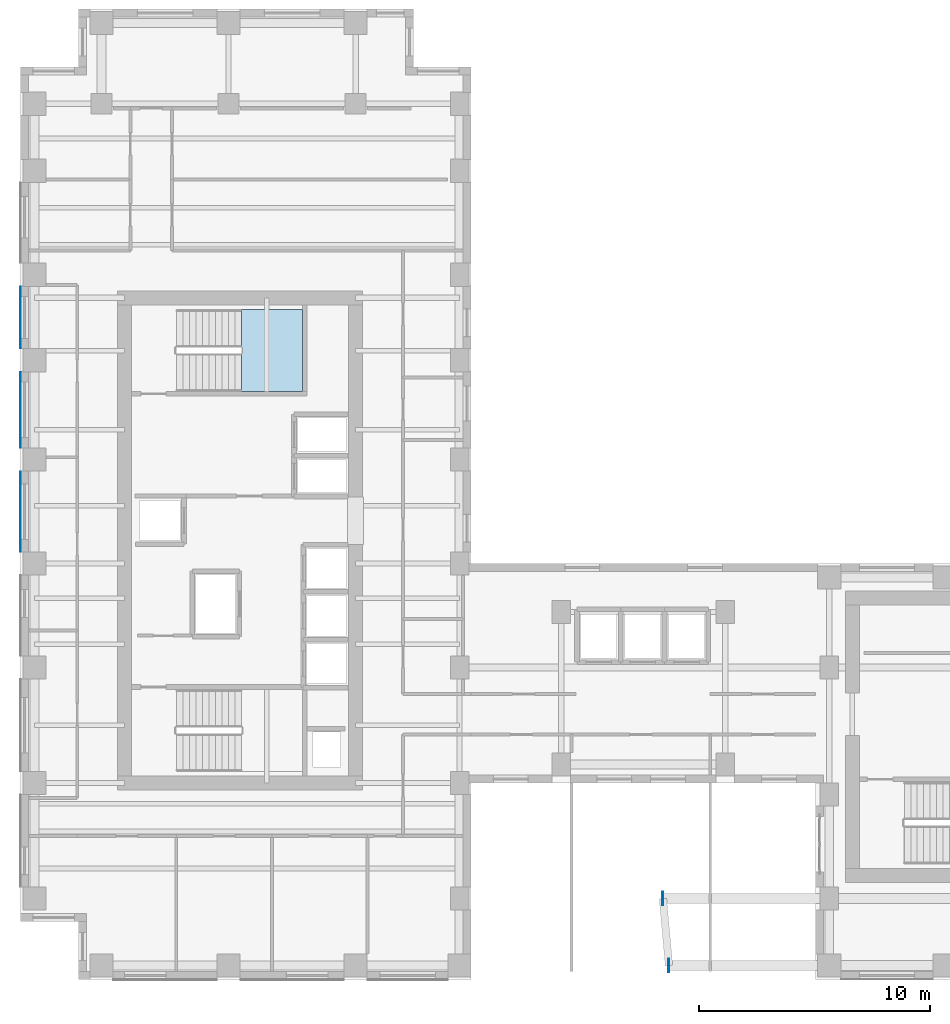
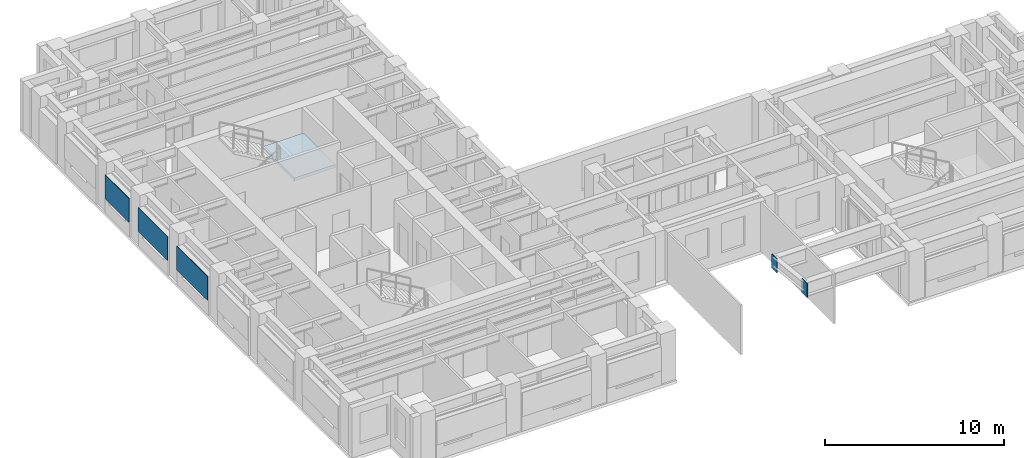
# One storey, part 4 of 13: 5 plates, 1 slab, 1 element without a shape of its own.
"""IFC4 building model written with IfcOpenShell, lengths in metres."""

from ifc_helpers import new_model, si_unit, direction, frame, origin, origin_2d, place, context, subcontext, project, spatial, polyline, rectangle, outline, extrude, source, transform, mapped, material, layer, layer_set, type_object, element, aggregate, save


model = new_model("IFC4")

# Units and contexts
model_context = context("Model", 3, precision=1e-05, world=origin(), true_north=direction((0.0, 1.0)))
body_context = subcontext(model_context, "Body", "Model", "MODEL_VIEW")
ifc_project = project(units=[si_unit("LENGTHUNIT", "METRE"), si_unit("AREAUNIT", "SQUARE_METRE"), si_unit("VOLUMEUNIT", "CUBIC_METRE"), si_unit("PLANEANGLEUNIT", "RADIAN"), si_unit("MASSUNIT", "GRAM", prefix="KILO")], contexts=[model_context])

# Site, building, storey
site_placement = place(None, origin())
site = spatial("IfcSite", under=ifc_project, at=site_placement, CompositionType="ELEMENT")
building_placement = place(site_placement, origin())
building = spatial("IfcBuilding", under=site, at=building_placement, Name="Kharzan Plaza Tower", CompositionType="ELEMENT")
storey_placement = place(building_placement, frame((0.0, 0.0, 189.89990234375)))
storey = spatial("IfcBuildingStorey", under=building, at=storey_placement, Name="L51", CompositionType="ELEMENT", Elevation=189.89990234375)

# Stair, slab
ifc_material_1 = material(Name="Concrete C40/50", Category="concrete")
stair_type = type_object("IfcStairType", Name="STR-ST-2", PredefinedType="HALF_TURN_STAIR", material=ifc_material_1)
stair_placement = place(storey_placement, origin())
stair = element("IfcStair", 1, at=stair_placement, inside=storey, type_object=stair_type, Name="L51 Protected Exit Stair ST-2", PredefinedType="HALF_TURN_STAIR")
ifc_layer_1 = layer(ifc_material_1, 0.219970703125)
ifc_layer_set_1 = layer_set([ifc_layer_1], Name="Concrete C40/50")
slab_type = type_object("IfcSlabType", Name="SL-LANDING-220", PredefinedType="LANDING", material=ifc_layer_set_1)
slab_placement = place(storey_placement, frame((0.0, 0.0, 1.60009765625)))
slab = element("IfcSlab", 2, at=slab_placement, type_object=slab_type, Name="ST-2 landing 1", PredefinedType="LANDING", context=body_context, shape_type="SweptSolid", body=[
    extrude(outline(polyline([(9.550048828125, 25.449951171875), (12.199951171875, 25.449951171875), (12.199951171875, 29.0), (9.550048828125, 29.0), (9.550048828125, 25.449951171875)])), origin(), (0.0, 0.0, 1.0), 0.199951171875),
])
aggregate(stair, [slab])

# Plates
ifc_material_2 = material(Name="Steel S460", Category="steel")
ifc_layer_2 = layer(ifc_material_2, 0.0419921875)
ifc_layer_set_2 = layer_set([ifc_layer_2], Name="Steel S460")
plate_type_1 = type_object("IfcPlateType", Name="PLT-ZTN1", PredefinedType="USERDEFINED", material=ifc_layer_set_2)
shared_shape_1 = source(origin(), body_context, "Body", "SweptSolid", [
    extrude(rectangle(XDim=0.60009765625, YDim=0.0419921875, at=origin_2d()), origin(), (0.0, 0.0, 1.0), 0.949951171875),
])
for number, where, z_axis, x_axis, name in (
    (3, (28.06396484375, 0.60009765625, 2.44140625), (0.0, 0.0, 1.0), (0.0, 1.0, 0.0), "L51 Sky-Terrace Cantilever Tip Plate ZTN1"),
    (4, (27.800048828125, 3.5, 2.44140625), (0.0, 0.0, 1.0), (0.0, 1.0, 0.0), "L51 Sky-Terrace Cantilever Tip Plate ZTN1"),
):
    element("IfcPlate", number, at=place(storey_placement, frame(where, z_axis=z_axis, x_axis=x_axis)), inside=storey, type_object=plate_type_1, Name=name, ObjectType="FLANGE_PLATE", PredefinedType="USERDEFINED", context=body_context, shape_type="MappedRepresentation", body=[
        mapped(shared_shape_1, transform((0.0, 0.0, 0.0), x_axis=(1.0, 0.0, 0.0), y_axis=(0.0, 1.0, 0.0), z_axis=(0.0, 0.0, 1.0))),
    ])
ifc_material_3 = material(Name="Perforated Bronze-Anodized Aluminium", Category="aluminium")
ifc_layer_3 = layer(ifc_material_3, 0.030029296875)
ifc_layer_set_3 = layer_set([ifc_layer_3], Name="Perforated Bronze-Anodized Aluminium")
plate_type_2 = type_object("IfcPlateType", Name="PLT-MASH-SCREEN", PredefinedType="SHEET", material=ifc_layer_set_3)
shared_shape_2 = source(origin(), body_context, "Body", "SweptSolid", [
    extrude(rectangle(XDim=3.464111328125, YDim=0.030029296875, at=origin_2d()), origin(), (0.0, 0.0, 1.0), 1.632080078125),
])
plate_1_placement = place(storey_placement, frame((-0.012939453125, 20.25, 1.01416015625), z_axis=(0.0, 0.0, 1.0), x_axis=(0.0, -1.0, 0.0)))
element("IfcPlate", 5, at=plate_1_placement, inside=storey, type_object=plate_type_2, Name="L51 Perforated Mashrabiya Solar Screen", PredefinedType="SHEET", context=body_context, shape_type="MappedRepresentation", body=[
    mapped(shared_shape_2, transform((0.0, 0.0, 0.0), x_axis=(1.0, 0.0, 0.0), y_axis=(0.0, 1.0, 0.0), z_axis=(0.0, 0.0, 1.0))),
])
shared_shape_3 = source(origin(), body_context, "Body", "SweptSolid", [
    extrude(rectangle(XDim=2.6640625, YDim=0.030029296875, at=origin_2d()), origin(), (0.0, 0.0, 1.0), 1.632080078125),
])
plate_2_placement = place(storey_placement, frame((-0.012939453125, 28.64990234375, 1.01416015625), z_axis=(0.0, 0.0, 1.0), x_axis=(0.0, -1.0, 0.0)))
element("IfcPlate", 6, at=plate_2_placement, inside=storey, type_object=plate_type_2, Name="L51 Perforated Mashrabiya Solar Screen", PredefinedType="SHEET", context=body_context, shape_type="MappedRepresentation", body=[
    mapped(shared_shape_3, transform((0.0, 0.0, 0.0), x_axis=(1.0, 0.0, 0.0), y_axis=(0.0, 1.0, 0.0), z_axis=(0.0, 0.0, 1.0))),
])
shared_shape_4 = source(origin(), body_context, "Body", "SweptSolid", [
    extrude(rectangle(XDim=3.263916015625, YDim=0.030029296875, at=origin_2d()), origin(), (0.0, 0.0, 1.0), 1.632080078125),
])
plate_3_placement = place(storey_placement, frame((-0.012939453125, 24.64990234375, 1.01416015625), z_axis=(0.0, 0.0, 1.0), x_axis=(0.0, -1.0, 0.0)))
element("IfcPlate", 7, at=plate_3_placement, inside=storey, type_object=plate_type_2, Name="L51 Perforated Mashrabiya Solar Screen", PredefinedType="SHEET", context=body_context, shape_type="MappedRepresentation", body=[
    mapped(shared_shape_4, transform((0.0, 0.0, 0.0), x_axis=(1.0, 0.0, 0.0), y_axis=(0.0, 1.0, 0.0), z_axis=(0.0, 0.0, 1.0))),
])

save(model, "model.ifc")
